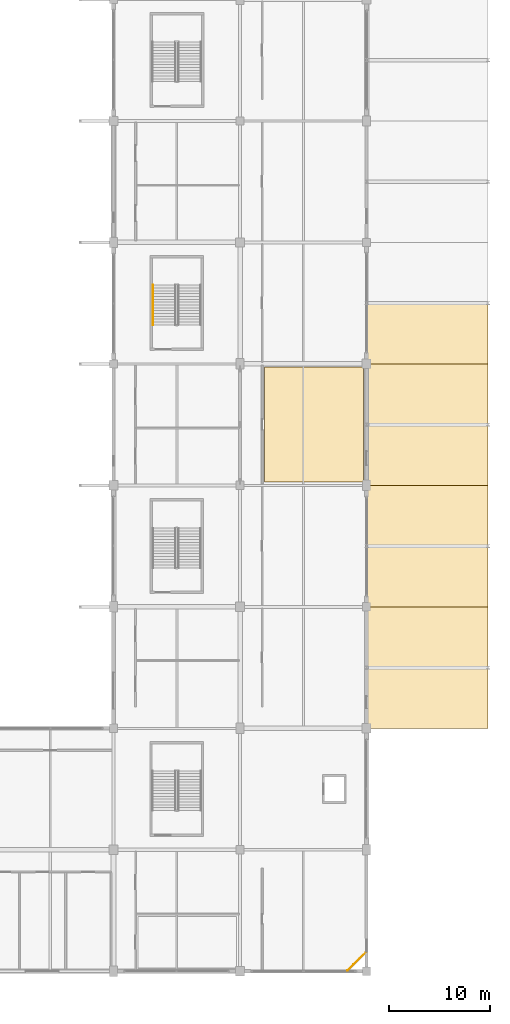
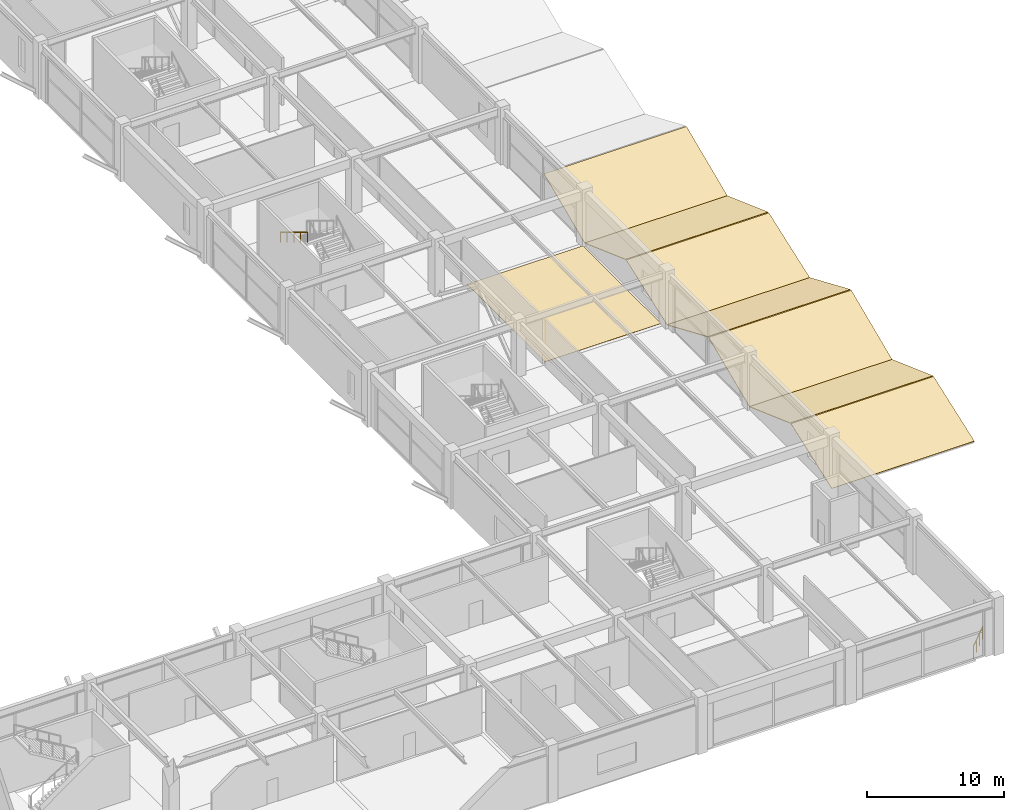
# One storey, part 105 of 116: 8 coverings, 2 railings.
"""IFC4 building model written with IfcOpenShell, lengths in metres."""

from ifc_helpers import new_model, si_unit, direction, frame, origin, origin_2d, place, context, subcontext, project, spatial, polyline, circle, outline, extrude, material, layer, layer_set, type_object, element, save


model = new_model("IFC4")

# Units and contexts
model_context = context("Model", 3, precision=1e-05, world=origin(), true_north=direction((0.0, 1.0)))
body_context = subcontext(model_context, "Body", "Model", "MODEL_VIEW")
ifc_project = project(units=[si_unit("LENGTHUNIT", "METRE"), si_unit("AREAUNIT", "SQUARE_METRE"), si_unit("VOLUMEUNIT", "CUBIC_METRE"), si_unit("PLANEANGLEUNIT", "RADIAN"), si_unit("MASSUNIT", "GRAM", prefix="KILO")], contexts=[model_context])

# Site, building, storey
site_placement = place(None, origin())
site = spatial("IfcSite", under=ifc_project, at=site_placement, CompositionType="ELEMENT")
building_placement = place(site_placement, origin())
building = spatial("IfcBuilding", under=site, at=building_placement, Name="Kazenohara Klinker Stadium", CompositionType="ELEMENT")
storey_placement = place(building_placement, frame((0.0, 0.0, 10.199951171875)))
storey = spatial("IfcBuildingStorey", under=building, at=storey_placement, Name="L02", CompositionType="ELEMENT", Elevation=10.199951171875)

# Coverings
ifc_material_1 = material(Name="Slip-resistant honed basalt terrazzo flooring", Category="masonry")
ifc_layer_1 = layer(ifc_material_1, 0.02001953125)
ifc_layer_set_1 = layer_set([ifc_layer_1], Name="Slip-resistant honed basalt terrazzo flooring")
covering_type_1 = type_object("IfcCoveringType", Name="COV-FLR-01", PredefinedType="FLOORING", material=ifc_layer_set_1)
covering_1_placement = place(storey_placement, origin())
element("IfcCovering", 1, at=covering_1_placement, inside=storey, type_object=covering_type_1, Name="Interior floor finish FL01 Club Reception Dining Lounge L02-1505A", PredefinedType="FLOORING", context=body_context, shape_type="SweptSolid", body=[
    extrude(outline(polyline([(189.929931640625, 60.31005859375), (199.669921875, 60.31005859375), (199.669921875, 71.68994140625), (189.929931640625, 71.68994140625), (189.929931640625, 60.31005859375)])), origin(), (0.0, 0.0, 1.0), 0.02001953125),
])
ifc_material_2 = material(Name="Insulated standing-seam copper roofing", Category="metal")
ifc_layer_2 = layer(ifc_material_2, 0.050048828125)
ifc_layer_set_2 = layer_set([ifc_layer_2], Name="Insulated standing-seam copper roofing")
covering_type_2 = type_object("IfcCoveringType", Name="COV-ROOF-01", PredefinedType="ROOFING", material=ifc_layer_set_2)
for number, where, z_axis, x_axis, name in (
    (2, (200.0, 36.0, -0.030029296875), (0.0, -0.339861612046, 0.940475456701), (1.0, 0.0, 0.0), "Standing-seam copper stepped wing roofing L02-A 17/D"),
    (3, (200.0, 42.050048828125, 2.1201171875), (0.0, 0.339861612046, 0.940475456701), (1.0, 0.0, 0.0), "Standing-seam copper stepped wing roofing L02-B 17/D"),
):
    element("IfcCovering", number, at=place(storey_placement, frame(where, z_axis=z_axis, x_axis=x_axis)), inside=storey, type_object=covering_type_2, Name=name, PredefinedType="ROOFING", context=body_context, shape_type="SweptSolid", body=[
        extrude(outline(polyline([(0.0, 0.0), (12.0, 0.0), (12.0, 6.3265352960342245), (0.0, 6.3265352960342245), (0.0, 0.0)])), origin(), (0.0, 0.0, -1.0), 0.050048828125),
    ])
for number, where, z_axis, x_axis, name in (
    (4, (200.0, 48.0, -0.030029296875), (0.0, -0.39392840207, 0.919141128469), (1.0, 0.0, 0.0), "Standing-seam copper stepped wing roofing L02-A 17/E"),
    (5, (200.0, 54.050048828125, 2.52001953125), (0.0, 0.39392840207, 0.919141128469), (1.0, 0.0, 0.0), "Standing-seam copper stepped wing roofing L02-B 17/E"),
):
    element("IfcCovering", number, at=place(storey_placement, frame(where, z_axis=z_axis, x_axis=x_axis)), inside=storey, type_object=covering_type_2, Name=name, PredefinedType="ROOFING", context=body_context, shape_type="SweptSolid", body=[
        extrude(outline(polyline([(0.0, 0.0), (12.0, 0.0), (12.0, 6.473381494514158), (0.0, 6.473381494514158), (0.0, 0.0)])), origin(), (0.0, 0.0, -1.0), 0.050048828125),
    ])
for number, where, z_axis, x_axis, name in (
    (6, (200.0, 60.0, -0.030029296875), (0.0, -0.339861612046, 0.940475456701), (1.0, 0.0, 0.0), "Standing-seam copper stepped wing roofing L02-A 17/F"),
    (7, (200.0, 66.050048828125, 2.1201171875), (0.0, 0.339861612046, 0.940475456701), (1.0, 0.0, 0.0), "Standing-seam copper stepped wing roofing L02-B 17/F"),
):
    element("IfcCovering", number, at=place(storey_placement, frame(where, z_axis=z_axis, x_axis=x_axis)), inside=storey, type_object=covering_type_2, Name=name, PredefinedType="ROOFING", context=body_context, shape_type="SweptSolid", body=[
        extrude(outline(polyline([(0.0, 0.0), (12.0, 0.0), (12.0, 6.3265352960342245), (0.0, 6.3265352960342245), (0.0, 0.0)])), origin(), (0.0, 0.0, -1.0), 0.050048828125),
    ])
covering_2_placement = place(storey_placement, frame((200.0, 72.0, -0.030029296875), z_axis=(0.0, -0.39392840207, 0.919141128469), x_axis=(1.0, 0.0, 0.0)))
element("IfcCovering", 8, at=covering_2_placement, inside=storey, type_object=covering_type_2, Name="Standing-seam copper stepped wing roofing L02-A 17/G", PredefinedType="ROOFING", context=body_context, shape_type="SweptSolid", body=[
    extrude(outline(polyline([(0.0, 0.0), (12.0, 0.0), (12.0, 6.473381494514158), (0.0, 6.473381494514158), (0.0, 0.0)])), origin(), (0.0, 0.0, -1.0), 0.050048828125),
])

# Railings
ifc_material_3 = material(Name="Galvanised powder-coated steel guardrail", Category="steel")
ifc_layer_3 = layer(ifc_material_3, 0.070068359375)
ifc_layer_set_3 = layer_set([ifc_layer_3], Name="Galvanised powder-coated steel guardrail")
railing_type_1 = type_object("IfcRailingType", Name="RL-GRD-1150", PredefinedType="GUARDRAIL", material=ifc_layer_set_3)
railing_1_placement = place(storey_placement, frame((198.1201171875, 12.080078125, 0.0)))
element("IfcRailing", 9, at=railing_1_placement, inside=storey, type_object=railing_type_1, Name="Corner chamfer slab-edge guardrail GR01-SLB-L02-15-01", PredefinedType="GUARDRAIL", context=body_context, shape_type="SweptSolid", body=[
    extrude(circle(Radius=0.02392578125, at=origin_2d()), frame((0.0, 0.0, 1.1259765625), z_axis=(0.707106781187, 0.707106781187, 0.0), x_axis=(-0.707106781187, 0.707106781187, 0.0)), (0.0, 0.0, 1.0), 2.54541015625),
    extrude(circle(Radius=0.02099609375, at=origin_2d()), origin(), (0.0, 0.0, 1.0), 1.101806640625),
    extrude(circle(Radius=0.02099609375, at=origin_2d()), frame((0.599853515625, 0.599853515625, 0.0)), (0.0, 0.0, 1.0), 1.101806640625),
    extrude(circle(Radius=0.02099609375, at=origin_2d()), frame((1.199951171875, 1.199951171875, 0.0)), (0.0, 0.0, 1.0), 1.101806640625),
    extrude(circle(Radius=0.02099609375, at=origin_2d()), frame((1.7998046875, 1.7998046875, 0.0)), (0.0, 0.0, 1.0), 1.101806640625),
])
ifc_material_4 = material(Name="Brushed stainless steel 304 handrail", Category="steel")
ifc_layer_4 = layer(ifc_material_4, 0.050048828125)
ifc_layer_set_4 = layer_set([ifc_layer_4], Name="Brushed stainless steel 304 handrail")
railing_type_2 = type_object("IfcRailingType", Name="RL-HND-900", PredefinedType="HANDRAIL", material=ifc_layer_set_4)
railing_2_placement = place(storey_placement, frame((178.889892578125, 79.77001953125, 2.719970703125)))
element("IfcRailing", 10, at=railing_2_placement, inside=storey, type_object=railing_type_2, Name="L02 ST22 stair handrail 2", PredefinedType="HANDRAIL", context=body_context, shape_type="SweptSolid", body=[
    extrude(circle(Radius=0.02392578125, at=origin_2d()), frame((0.0, 0.0, 0.8759765625), z_axis=(0.0, -0.854770645689, 0.519005918337), x_axis=(1.0, 0.0, 0.0)), (0.0, 0.0, 1.0), 4.5859375),
    extrude(circle(Radius=0.02099609375, at=origin_2d()), origin(), (0.0, 0.0, 1.0), 0.851806640625),
    extrude(circle(Radius=0.02099609375, at=origin_2d()), frame((0.0, -0.97998046875, 0.594970703125)), (0.0, 0.0, 1.0), 0.851806640625),
    extrude(circle(Radius=0.02099609375, at=origin_2d()), frame((0.0, -1.9599609375, 1.18994140625)), (0.0, 0.0, 1.0), 0.851806640625),
    extrude(circle(Radius=0.02099609375, at=origin_2d()), frame((0.0, -2.93994140625, 1.78515625)), (0.0, 0.0, 1.0), 0.851806640625),
    extrude(circle(Radius=0.02099609375, at=origin_2d()), frame((0.0, -3.919921875, 2.380126953125)), (0.0, 0.0, 1.0), 0.851806640625),
])

save(model, "model.ifc")
